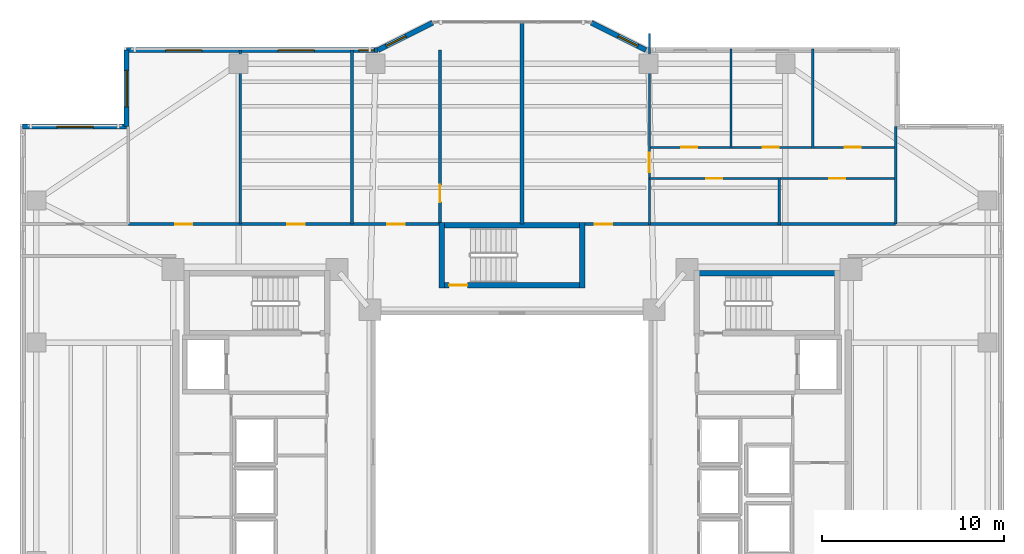
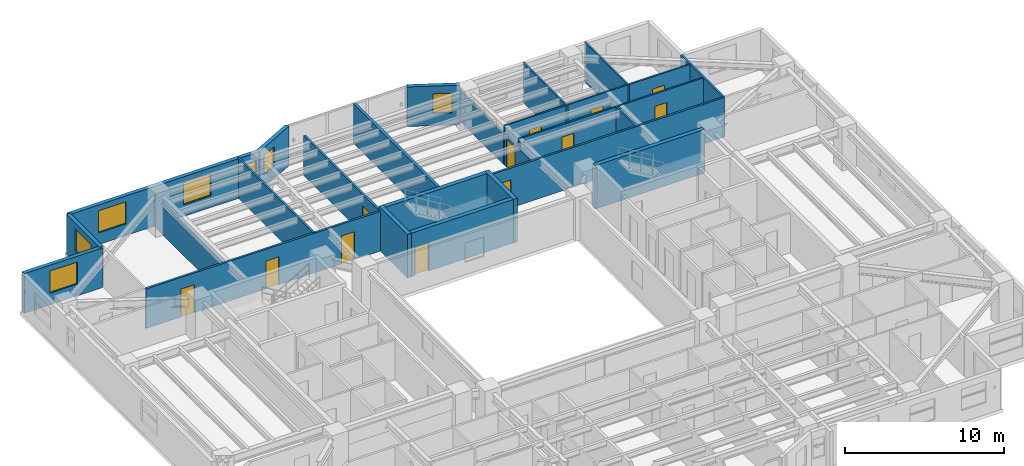
# One storey, part 10 of 18: 24 walls, 12 doors, 7 windows, 19 openings.
"""IFC4 building model written with IfcOpenShell, lengths in metres."""

from ifc_helpers import new_model, si_unit, direction, frame, frame_2d, origin, place, context, subcontext, project, spatial, rectangle, extrude, material, layer, layer_set, type_object, element, fill, save


model = new_model("IFC4")

# Units and contexts
model_context = context("Model", 3, precision=1e-05, world=origin(), true_north=direction((0.0, 1.0)))
body_context = subcontext(model_context, "Body", "Model", "MODEL_VIEW")
ifc_project = project(units=[si_unit("LENGTHUNIT", "METRE"), si_unit("AREAUNIT", "SQUARE_METRE"), si_unit("VOLUMEUNIT", "CUBIC_METRE"), si_unit("PLANEANGLEUNIT", "RADIAN"), si_unit("MASSUNIT", "GRAM", prefix="KILO")], contexts=[model_context])

# Site, building, storey
site_placement = place(None, origin())
site = spatial("IfcSite", under=ifc_project, at=site_placement, CompositionType="ELEMENT")
building_placement = place(site_placement, origin())
building = spatial("IfcBuilding", under=site, at=building_placement, Name="Tarnavaz Court Tower", CompositionType="ELEMENT")
storey_placement = place(building_placement, frame((0.0, 0.0, 115.14990234375)))
storey = spatial("IfcBuildingStorey", under=building, at=storey_placement, Name="L31", CompositionType="ELEMENT", Elevation=115.14990234375)

# Walls
ifc_material_1 = material(Name="Concrete C60/75", Category="concrete")
ifc_layer_1 = layer(ifc_material_1, 0.300048828125)
ifc_layer_set_1 = layer_set([ifc_layer_1], Name="Concrete C60/75")
wall_type_1 = type_object("IfcWallType", Name="WL-CORE-300-C60", PredefinedType="SHEAR", material=ifc_layer_set_1)
for number, where, z_axis, x_axis, name in (
    (1, (10.0, 9.7900390625, 0.0), (0.0, 0.0, 1.0), (1.0, 0.0, 0.0), "L31 East Stair Core Wall 005"),
    (2, (-4.0, 12.43994140625, 0.0), (0.0, 0.0, 1.0), (1.0, 0.0, 0.0), "L31 North Stair Core Wall 009"),
):
    element("IfcWall", number, at=place(storey_placement, frame(where, z_axis=z_axis, x_axis=x_axis)), inside=storey, type_object=wall_type_1, Name=name, PredefinedType="SHEAR", context=body_context, shape_type="SweptSolid", body=[
        extrude(rectangle(XDim=8.0, YDim=0.300048828125, at=frame_2d((4.0, 0.0))), origin(), (0.0, 0.0, 1.0), 3.35009765625),
    ])

# Wall, opening, door
wall_1_placement = place(storey_placement, frame((-4.0, 9.14990234375, 0.0), z_axis=(0.0, 0.0, 1.0), x_axis=(1.0, 0.0, 0.0)))
wall_1 = element("IfcWall", 3, at=wall_1_placement, inside=storey, type_object=wall_type_1, Name="L31 North Stair Core Wall 010", PredefinedType="SHEAR", context=body_context, shape_type="SweptSolid", body=[
    extrude(rectangle(XDim=8.0, YDim=0.300048828125, at=frame_2d((4.0, 0.0))), origin(), (0.0, 0.0, 1.0), 3.35009765625),
])
opening_1_placement = place(wall_1_placement, frame((0.550048828125, 0.0, 0.0)))
opening_1 = element("IfcOpeningElement", 4, at=opening_1_placement, cuts=wall_1, Name="Opening D01", PredefinedType="OPENING", context=body_context, shape_type="SweptSolid", body=[
    extrude(rectangle(XDim=1.0, YDim=2.14990234375, at=frame_2d((0.5, 1.074951171875))), frame((0.0, 0.159912109375, 0.0), z_axis=(0.0, -1.0, 0.0), x_axis=(1.0, 0.0, 0.0)), (0.0, 0.0, 1.0), 0.320068359375),
])
ifc_material_2 = material(Name="Fire-Rated Hardwood Timber Core", Category="wood")
door_type_1 = type_object("IfcDoorType", Name="DR-FD90-1000", OperationType="NOTDEFINED", PredefinedType="DOOR", material=ifc_material_2)
door_1_placement = place(opening_1_placement, origin())
door_1 = element("IfcDoor", 5, at=door_1_placement, inside=storey, type_object=door_type_1, Name="L31 Stair ST-N1 Exit Door", OperationType="SINGLE_SWING_LEFT", OverallHeight=2.14990234375, OverallWidth=1.0, PredefinedType="DOOR", context=body_context, shape_type="SweptSolid", body=[
    extrude(rectangle(XDim=1.0, YDim=2.14990234375, at=frame_2d((0.5, 1.074951171875))), frame((0.0, 0.02490234375, 0.0), z_axis=(0.0, -1.0, 0.0), x_axis=(1.0, 0.0, 0.0)), (0.0, 0.0, 1.0), 0.050048828125),
])
fill(opening_1, door_1)

# Walls
for number, where, z_axis, x_axis, name in (
    (6, (-3.85009765625, 9.0, 0.0), (0.0, 0.0, 1.0), (0.0, 1.0, 0.0), "L31 North Stair Core Wall 011"),
    (7, (3.85009765625, 9.0, 0.0), (0.0, 0.0, 1.0), (0.0, 1.0, 0.0), "L31 North Stair Core Wall 012"),
):
    element("IfcWall", number, at=place(storey_placement, frame(where, z_axis=z_axis, x_axis=x_axis)), inside=storey, type_object=wall_type_1, Name=name, PredefinedType="SHEAR", context=body_context, shape_type="SweptSolid", body=[
        extrude(rectangle(XDim=3.590087890625, YDim=0.300048828125, at=frame_2d((1.794921875, 0.0))), origin(), (0.0, 0.0, 1.0), 3.35009765625),
    ])

# Wall, opening, window
ifc_material_3 = material(Name="Precast Concrete C40/50", Category="concrete")
ifc_layer_2 = layer(ifc_material_3, 0.280029296875)
ifc_layer_set_2 = layer_set([ifc_layer_2], Name="Precast Concrete C40/50")
wall_type_2 = type_object("IfcWallType", Name="WL-EXT-280", PredefinedType="SOLIDWALL", material=ifc_layer_set_2)
wall_2_placement = place(storey_placement, frame((-26.85009765625, 17.85009765625, 0.0), z_axis=(0.0, 0.0, 1.0), x_axis=(1.0, 0.0, 0.0)))
wall_2 = element("IfcWall", 8, at=wall_2_placement, inside=storey, type_object=wall_type_2, Name="L31 Exterior Terracotta Facade Wall 03", PredefinedType="SOLIDWALL", context=body_context, shape_type="SweptSolid", body=[
    extrude(rectangle(XDim=5.7001953125, YDim=0.280029296875, at=frame_2d((2.85009765625, 0.0))), origin(), (0.0, 0.0, 1.0), 3.050048828125),
])
opening_2_placement = place(wall_2_placement, frame((1.875, 0.0, 0.89990234375)))
opening_2 = element("IfcOpeningElement", 9, at=opening_2_placement, cuts=wall_2, Name="Opening W08", PredefinedType="OPENING", context=body_context, shape_type="SweptSolid", body=[
    extrude(rectangle(XDim=2.0, YDim=1.699951171875, at=frame_2d((1.0, 0.85009765625))), frame((0.0, 0.14990234375, 0.0), z_axis=(0.0, -1.0, 0.0), x_axis=(1.0, 0.0, 0.0)), (0.0, 0.0, 1.0), 0.300048828125),
])
ifc_material_4 = material(Name="Double-Glazed Solar Low-E Glass", Category="glass")
window_type_1 = type_object("IfcWindowType", Name="WN-APT-2000", PartitioningType="DOUBLE_PANEL_VERTICAL", PredefinedType="WINDOW", material=ifc_material_4)
window_1_placement = place(opening_2_placement, origin())
window_1 = element("IfcWindow", 10, at=window_1_placement, inside=storey, type_object=window_type_1, Name="L31 North-West Corner Sunroom Study Window", OverallHeight=1.699951171875, OverallWidth=2.0, PartitioningType="SINGLE_PANEL", PredefinedType="WINDOW", context=body_context, shape_type="SweptSolid", body=[
    extrude(rectangle(XDim=2.0, YDim=1.699951171875, at=frame_2d((1.0, 0.85009765625))), frame((0.0, 0.030029296875, 0.0), z_axis=(0.0, -1.0, 0.0), x_axis=(1.0, 0.0, 0.0)), (0.0, 0.0, 1.0), 0.06005859375),
])
fill(opening_2, window_1)

wall_3_placement = place(storey_placement, frame((-21.14990234375, 17.85009765625, 0.0), z_axis=(0.0, 0.0, 1.0), x_axis=(0.0, 1.0, 0.0)))
wall_3 = element("IfcWall", 11, at=wall_3_placement, inside=storey, type_object=wall_type_2, Name="L31 Exterior Terracotta Facade Wall 04", PredefinedType="SOLIDWALL", context=body_context, shape_type="SweptSolid", body=[
    extrude(rectangle(XDim=4.199951171875, YDim=0.280029296875, at=frame_2d((2.10009765625, 0.0))), origin(), (0.0, 0.0, 1.0), 3.050048828125),
])
opening_3_placement = place(wall_3_placement, frame((1.082275390625, 0.0, 0.89990234375)))
opening_3 = element("IfcOpeningElement", 12, at=opening_3_placement, cuts=wall_3, Name="Opening W08", PredefinedType="OPENING", context=body_context, shape_type="SweptSolid", body=[
    extrude(rectangle(XDim=2.0, YDim=1.699951171875, at=frame_2d((1.0, 0.85009765625))), frame((0.0, 0.14990234375, 0.0), z_axis=(0.0, -1.0, 0.0), x_axis=(1.0, 0.0, 0.0)), (0.0, 0.0, 1.0), 0.300048828125),
])
window_2_placement = place(opening_3_placement, origin())
window_2 = element("IfcWindow", 13, at=window_2_placement, inside=storey, type_object=window_type_1, Name="L31 Resident Fitness and Yoga Studio Window", OverallHeight=1.699951171875, OverallWidth=2.0, PartitioningType="SINGLE_PANEL", PredefinedType="WINDOW", context=body_context, shape_type="SweptSolid", body=[
    extrude(rectangle(XDim=2.0, YDim=1.699951171875, at=frame_2d((1.0, 0.85009765625))), frame((0.0, 0.030029296875, 0.0), z_axis=(0.0, -1.0, 0.0), x_axis=(1.0, 0.0, 0.0)), (0.0, 0.0, 1.0), 0.06005859375),
])
fill(opening_3, window_2)

# Wall, openings, windows
wall_4_placement = place(storey_placement, frame((-21.14990234375, 22.050048828125, 0.0), z_axis=(0.0, 0.0, 1.0), x_axis=(1.0, 0.0, 0.0)))
wall_4 = element("IfcWall", 14, at=wall_4_placement, inside=storey, type_object=wall_type_2, Name="L31 Exterior Terracotta Facade Wall 05", PredefinedType="SOLIDWALL", context=body_context, shape_type="SweptSolid", body=[
    extrude(rectangle(XDim=13.7998046875, YDim=0.280029296875, at=frame_2d((6.89990234375, 0.0))), origin(), (0.0, 0.0, 1.0), 3.050048828125),
])
opening_4_placement = place(wall_4_placement, frame((2.136474609375, 0.0, 0.89990234375)))
opening_4 = element("IfcOpeningElement", 15, at=opening_4_placement, cuts=wall_4, Name="Opening W08", PredefinedType="OPENING", context=body_context, shape_type="SweptSolid", body=[
    extrude(rectangle(XDim=2.0, YDim=1.699951171875, at=frame_2d((1.0, 0.85009765625))), frame((0.0, 0.14990234375, 0.0), z_axis=(0.0, -1.0, 0.0), x_axis=(1.0, 0.0, 0.0)), (0.0, 0.0, 1.0), 0.300048828125),
])
opening_5_placement = place(wall_4_placement, frame((8.30859375, 0.0, 0.89990234375)))
opening_5 = element("IfcOpeningElement", 16, at=opening_5_placement, cuts=wall_4, Name="Opening W08", PredefinedType="OPENING", context=body_context, shape_type="SweptSolid", body=[
    extrude(rectangle(XDim=2.0, YDim=1.699951171875, at=frame_2d((1.0, 0.85009765625))), frame((0.0, 0.14990234375, 0.0), z_axis=(0.0, -1.0, 0.0), x_axis=(1.0, 0.0, 0.0)), (0.0, 0.0, 1.0), 0.300048828125),
])
opening_6_placement = place(wall_4_placement, frame((12.7470703125, 0.0, 0.949951171875)))
opening_6 = element("IfcOpeningElement", 17, at=opening_6_placement, cuts=wall_4, Name="Opening W15", PredefinedType="OPENING", context=body_context, shape_type="SweptSolid", body=[
    extrude(rectangle(XDim=0.85009765625, YDim=1.5, at=frame_2d((0.425048828125, 0.75))), frame((0.0, 0.14990234375, 0.0), z_axis=(0.0, -1.0, 0.0), x_axis=(1.0, 0.0, 0.0)), (0.0, 0.0, 1.0), 0.300048828125),
])
window_3_placement = place(opening_4_placement, origin())
window_3 = element("IfcWindow", 18, at=window_3_placement, inside=storey, type_object=window_type_1, Name="L31 Resident Fitness and Yoga Studio Window", OverallHeight=1.699951171875, OverallWidth=2.0, PartitioningType="SINGLE_PANEL", PredefinedType="WINDOW", context=body_context, shape_type="SweptSolid", body=[
    extrude(rectangle(XDim=2.0, YDim=1.699951171875, at=frame_2d((1.0, 0.85009765625))), frame((0.0, 0.030029296875, 0.0), z_axis=(0.0, -1.0, 0.0), x_axis=(1.0, 0.0, 0.0)), (0.0, 0.0, 1.0), 0.06005859375),
])
fill(opening_4, window_3)
window_4_placement = place(opening_5_placement, origin())
window_4 = element("IfcWindow", 19, at=window_4_placement, inside=storey, type_object=window_type_1, Name="L31 Children Playroom and Daycare Window", OverallHeight=1.699951171875, OverallWidth=2.0, PartitioningType="SINGLE_PANEL", PredefinedType="WINDOW", context=body_context, shape_type="SweptSolid", body=[
    extrude(rectangle(XDim=2.0, YDim=1.699951171875, at=frame_2d((1.0, 0.85009765625))), frame((0.0, 0.030029296875, 0.0), z_axis=(0.0, -1.0, 0.0), x_axis=(1.0, 0.0, 0.0)), (0.0, 0.0, 1.0), 0.06005859375),
])
fill(opening_5, window_4)
window_type_2 = type_object("IfcWindowType", Name="WN-APT-850", PartitioningType="SINGLE_PANEL", PredefinedType="WINDOW", material=ifc_material_4)
window_5_placement = place(opening_6_placement, origin())
window_5 = element("IfcWindow", 20, at=window_5_placement, inside=storey, type_object=window_type_2, Name="L31 Shared Community Tea Pantry Window", OverallHeight=1.5, OverallWidth=0.85009765625, PartitioningType="SINGLE_PANEL", PredefinedType="WINDOW", context=body_context, shape_type="SweptSolid", body=[
    extrude(rectangle(XDim=0.85009765625, YDim=1.5, at=frame_2d((0.425048828125, 0.75))), frame((0.0, 0.030029296875, 0.0), z_axis=(0.0, -1.0, 0.0), x_axis=(1.0, 0.0, 0.0)), (0.0, 0.0, 1.0), 0.06005859375),
])
fill(opening_6, window_5)

# Wall, opening, window
wall_5_placement = place(storey_placement, frame((-7.35009765625, 22.050048828125, 0.0), z_axis=(0.0, 0.0, 1.0), x_axis=(0.894427191, 0.4472135955, 0.0)))
wall_5 = element("IfcWall", 21, at=wall_5_placement, inside=storey, type_object=wall_type_2, Name="L31 Exterior Terracotta Facade Wall 06", PredefinedType="SOLIDWALL", context=body_context, shape_type="SweptSolid", body=[
    extrude(rectangle(XDim=3.35400390625, YDim=0.280029296875, at=frame_2d((1.677001953125, 0.0))), origin(), (0.0, 0.0, 1.0), 3.050048828125),
])
opening_7_placement = place(wall_5_placement, frame((0.501220703125, 0.0, 0.949951171875)))
opening_7 = element("IfcOpeningElement", 22, at=opening_7_placement, cuts=wall_5, Name="Opening W05", PredefinedType="OPENING", context=body_context, shape_type="SweptSolid", body=[
    extrude(rectangle(XDim=1.199951171875, YDim=1.5, at=frame_2d((0.60009765625, 0.75))), frame((0.0, 0.14990234375, 0.0), z_axis=(0.0, -1.0, 0.0), x_axis=(1.0, 0.0, 0.0)), (0.0, 0.0, 1.0), 0.300048828125),
])
window_type_3 = type_object("IfcWindowType", Name="WN-APT-1200", PartitioningType="SINGLE_PANEL", PredefinedType="WINDOW", material=ifc_material_4)
window_6_placement = place(opening_7_placement, origin())
window_6 = element("IfcWindow", 23, at=window_6_placement, inside=storey, type_object=window_type_3, Name="L31 Shared Community Tea Pantry Window", OverallHeight=1.5, OverallWidth=1.199951171875, PartitioningType="SINGLE_PANEL", PredefinedType="WINDOW", context=body_context, shape_type="SweptSolid", body=[
    extrude(rectangle(XDim=1.199951171875, YDim=1.5, at=frame_2d((0.60009765625, 0.75))), frame((0.0, 0.030029296875, 0.0), z_axis=(0.0, -1.0, 0.0), x_axis=(1.0, 0.0, 0.0)), (0.0, 0.0, 1.0), 0.06005859375),
])
fill(opening_7, window_6)

wall_6_placement = place(storey_placement, frame((4.35009765625, 23.550048828125, 0.0), z_axis=(0.0, 0.0, 1.0), x_axis=(0.894427191, -0.4472135955, 0.0)))
wall_6 = element("IfcWall", 24, at=wall_6_placement, inside=storey, type_object=wall_type_2, Name="L31 Exterior Terracotta Facade Wall 08", PredefinedType="SOLIDWALL", context=body_context, shape_type="SweptSolid", body=[
    extrude(rectangle(XDim=3.35400390625, YDim=0.280029296875, at=frame_2d((1.677001953125, 0.0))), origin(), (0.0, 0.0, 1.0), 3.050048828125),
])
opening_8_placement = place(wall_6_placement, frame((1.65283203125, 0.0, 0.949951171875)))
opening_8 = element("IfcOpeningElement", 25, at=opening_8_placement, cuts=wall_6, Name="Opening W05", PredefinedType="OPENING", context=body_context, shape_type="SweptSolid", body=[
    extrude(rectangle(XDim=1.199951171875, YDim=1.5, at=frame_2d((0.60009765625, 0.75))), frame((0.0, 0.14990234375, 0.0), z_axis=(0.0, -1.0, 0.0), x_axis=(1.0, 0.0, 0.0)), (0.0, 0.0, 1.0), 0.300048828125),
])
window_7_placement = place(opening_8_placement, origin())
window_7 = element("IfcWindow", 26, at=window_7_placement, inside=storey, type_object=window_type_3, Name="L31 Flat 01 Living and Dining Room Window", OverallHeight=1.5, OverallWidth=1.199951171875, PartitioningType="SINGLE_PANEL", PredefinedType="WINDOW", context=body_context, shape_type="SweptSolid", body=[
    extrude(rectangle(XDim=1.199951171875, YDim=1.5, at=frame_2d((0.60009765625, 0.75))), frame((0.0, 0.030029296875, 0.0), z_axis=(0.0, -1.0, 0.0), x_axis=(1.0, 0.0, 0.0)), (0.0, 0.0, 1.0), 0.06005859375),
])
fill(opening_8, window_7)

# Wall, openings, doors
ifc_material_5 = material(Name="Gypsum Fire-Board on Acoustic Metal Stud", Category="masonry")
ifc_layer_3 = layer(ifc_material_5, 0.14990234375)
ifc_layer_set_3 = layer_set([ifc_layer_3], Name="Gypsum Fire-Board on Acoustic Metal Stud")
wall_type_3 = type_object("IfcWallType", Name="WL-FIRE-150", PredefinedType="PARTITIONING", material=ifc_layer_set_3)
wall_7_placement = place(storey_placement, frame((-21.050048828125, 12.5, 0.0), z_axis=(0.0, 0.0, 1.0), x_axis=(1.0, 0.0, 0.0)))
wall_7 = element("IfcWall", 27, at=wall_7_placement, inside=storey, type_object=wall_type_3, Name="L31 NW Wing Corridor Wall 072", PredefinedType="PARTITIONING", context=body_context, shape_type="SweptSolid", body=[
    extrude(rectangle(XDim=17.199951171875, YDim=0.14990234375, at=frame_2d((8.60009765625, 0.0))), origin(), (0.0, 0.0, 1.0), 3.050048828125),
])
opening_9_placement = place(wall_7_placement, frame((2.56201171875, 0.0, 0.0)))
opening_9 = element("IfcOpeningElement", 28, at=opening_9_placement, cuts=wall_7, Name="Opening D13", PredefinedType="OPENING", context=body_context, shape_type="SweptSolid", body=[
    extrude(rectangle(XDim=0.949951171875, YDim=2.14990234375, at=frame_2d((0.47509765625, 1.074951171875))), frame((0.0, 0.0849609375, 0.0), z_axis=(0.0, -1.0, 0.0), x_axis=(1.0, 0.0, 0.0)), (0.0, 0.0, 1.0), 0.169921875),
])
opening_10_placement = place(wall_7_placement, frame((8.72607421875, 0.0, 0.0)))
opening_10 = element("IfcOpeningElement", 29, at=opening_10_placement, cuts=wall_7, Name="Opening D13", PredefinedType="OPENING", context=body_context, shape_type="SweptSolid", body=[
    extrude(rectangle(XDim=0.949951171875, YDim=2.14990234375, at=frame_2d((0.47509765625, 1.074951171875))), frame((0.0, 0.0849609375, 0.0), z_axis=(0.0, -1.0, 0.0), x_axis=(1.0, 0.0, 0.0)), (0.0, 0.0, 1.0), 0.169921875),
])
opening_11_placement = place(wall_7_placement, frame((14.2099609375, 0.0, 0.0)))
opening_11 = element("IfcOpeningElement", 30, at=opening_11_placement, cuts=wall_7, Name="Opening D13", PredefinedType="OPENING", context=body_context, shape_type="SweptSolid", body=[
    extrude(rectangle(XDim=0.949951171875, YDim=2.14990234375, at=frame_2d((0.47509765625, 1.074951171875))), frame((0.0, 0.0849609375, 0.0), z_axis=(0.0, -1.0, 0.0), x_axis=(1.0, 0.0, 0.0)), (0.0, 0.0, 1.0), 0.169921875),
])
ifc_material_6 = material(Name="Engineered Oak Timber", Category="wood")
door_type_2 = type_object("IfcDoorType", Name="DR-INT-950", OperationType="NOTDEFINED", PredefinedType="DOOR", material=ifc_material_6)
door_2_placement = place(opening_9_placement, origin())
door_2 = element("IfcDoor", 31, at=door_2_placement, inside=storey, type_object=door_type_2, Name="L31 Resident Fitness and Yoga Studio Door", OperationType="SINGLE_SWING_RIGHT", OverallHeight=2.14990234375, OverallWidth=0.949951171875, PredefinedType="DOOR", context=body_context, shape_type="SweptSolid", body=[
    extrude(rectangle(XDim=0.949951171875, YDim=2.14990234375, at=frame_2d((0.47509765625, 1.074951171875))), frame((0.0, 0.02490234375, 0.0), z_axis=(0.0, -1.0, 0.0), x_axis=(1.0, 0.0, 0.0)), (0.0, 0.0, 1.0), 0.050048828125),
])
fill(opening_9, door_2)
door_3_placement = place(opening_10_placement, origin())
door_3 = element("IfcDoor", 32, at=door_3_placement, inside=storey, type_object=door_type_2, Name="L31 Children Playroom and Daycare Door", OperationType="SINGLE_SWING_LEFT", OverallHeight=2.14990234375, OverallWidth=0.949951171875, PredefinedType="DOOR", context=body_context, shape_type="SweptSolid", body=[
    extrude(rectangle(XDim=0.949951171875, YDim=2.14990234375, at=frame_2d((0.47509765625, 1.074951171875))), frame((0.0, 0.02490234375, 0.0), z_axis=(0.0, -1.0, 0.0), x_axis=(1.0, 0.0, 0.0)), (0.0, 0.0, 1.0), 0.050048828125),
])
fill(opening_10, door_3)
door_4_placement = place(opening_11_placement, origin())
door_4 = element("IfcDoor", 33, at=door_4_placement, inside=storey, type_object=door_type_2, Name="L31 Shared Community Tea Pantry Door", OperationType="SINGLE_SWING_RIGHT", OverallHeight=2.14990234375, OverallWidth=0.949951171875, PredefinedType="DOOR", context=body_context, shape_type="SweptSolid", body=[
    extrude(rectangle(XDim=0.949951171875, YDim=2.14990234375, at=frame_2d((0.47509765625, 1.074951171875))), frame((0.0, 0.02490234375, 0.0), z_axis=(0.0, -1.0, 0.0), x_axis=(1.0, 0.0, 0.0)), (0.0, 0.0, 1.0), 0.050048828125),
])
fill(opening_11, door_4)

# Wall, opening, door
wall_8_placement = place(storey_placement, frame((3.85009765625, 12.5, 0.0), z_axis=(0.0, 0.0, 1.0), x_axis=(1.0, 0.0, 0.0)))
wall_8 = element("IfcWall", 34, at=wall_8_placement, inside=storey, type_object=wall_type_3, Name="L31 NE Wing Corridor Wall 073", PredefinedType="PARTITIONING", context=body_context, shape_type="SweptSolid", body=[
    extrude(rectangle(XDim=17.199951171875, YDim=0.14990234375, at=frame_2d((8.60009765625, 0.0))), origin(), (0.0, 0.0, 1.0), 3.050048828125),
])
opening_12_placement = place(wall_8_placement, frame((0.699951171875, 0.0, 0.0)))
opening_12 = element("IfcOpeningElement", 35, at=opening_12_placement, cuts=wall_8, Name="Opening D06", PredefinedType="OPENING", context=body_context, shape_type="SweptSolid", body=[
    extrude(rectangle(XDim=0.9599609375, YDim=2.14990234375, at=frame_2d((0.47998046875, 1.074951171875))), frame((0.0, 0.0849609375, 0.0), z_axis=(0.0, -1.0, 0.0), x_axis=(1.0, 0.0, 0.0)), (0.0, 0.0, 1.0), 0.169921875),
])
door_type_3 = type_object("IfcDoorType", Name="DR-FD60-950", OperationType="NOTDEFINED", PredefinedType="DOOR", material=ifc_material_2)
door_5_placement = place(opening_12_placement, origin())
door_5 = element("IfcDoor", 36, at=door_5_placement, inside=storey, type_object=door_type_3, Name="L31 Flat 01 Entrance Door", OperationType="SINGLE_SWING_RIGHT", OverallHeight=2.14990234375, OverallWidth=0.9599609375, PredefinedType="DOOR", context=body_context, shape_type="SweptSolid", body=[
    extrude(rectangle(XDim=0.9599609375, YDim=2.14990234375, at=frame_2d((0.47998046875, 1.074951171875))), frame((0.0, 0.02490234375, 0.0), z_axis=(0.0, -1.0, 0.0), x_axis=(1.0, 0.0, 0.0)), (0.0, 0.0, 1.0), 0.050048828125),
])
fill(opening_12, door_5)

# Wall
ifc_material_7 = material(Name="Autoclaved Aerated Concrete Blockwork", Category="masonry")
ifc_layer_4 = layer(ifc_material_7, 0.199951171875)
ifc_layer_set_4 = layer_set([ifc_layer_4], Name="Autoclaved Aerated Concrete Blockwork")
wall_type_4 = type_object("IfcWallType", Name="WL-FIRE-200", PredefinedType="SOLIDWALL", material=ifc_layer_set_4)
wall_9_placement = place(storey_placement, frame((0.550048828125, 12.5, 0.0), z_axis=(0.0, 0.0, 1.0), x_axis=(0.0, 1.0, 0.0)))
element("IfcWall", 37, at=wall_9_placement, inside=storey, type_object=wall_type_4, Name="L31 North Center Party Wall 076", PredefinedType="SOLIDWALL", context=body_context, shape_type="SweptSolid", body=[
    extrude(rectangle(XDim=11.080078125, YDim=0.199951171875, at=frame_2d((5.5400390625, 0.0))), origin(), (0.0, 0.0, 1.0), 3.050048828125),
])

# Wall, opening, door
ifc_material_8 = material(Name="Moisture-Resistant Gypsum Board Partition", Category="masonry")
ifc_layer_5 = layer(ifc_material_8, 0.1201171875)
ifc_layer_set_5 = layer_set([ifc_layer_5], Name="Moisture-Resistant Gypsum Board Partition")
wall_type_5 = type_object("IfcWallType", Name="WL-PART-120", PredefinedType="PARTITIONING", material=ifc_layer_set_5)
wall_10_placement = place(storey_placement, frame((7.5390625, 12.43994140625, 0.0), z_axis=(0.0, 0.0, 1.0), x_axis=(0.0, 1.0, 0.0)))
wall_10 = element("IfcWall", 38, at=wall_10_placement, inside=storey, type_object=wall_type_5, Name="L31 Interior Partition 080", PredefinedType="PARTITIONING", context=body_context, shape_type="SweptSolid", body=[
    extrude(rectangle(XDim=10.51416015625, YDim=0.1201171875, at=frame_2d((5.257080078125, 0.0))), origin(), (0.0, 0.0, 1.0), 2.385009765625),
])
opening_13_placement = place(wall_10_placement, frame((2.905029296875, 0.0, 0.0)))
opening_13 = element("IfcOpeningElement", 39, at=opening_13_placement, cuts=wall_10, Name="Opening D12", PredefinedType="OPENING", context=body_context, shape_type="SweptSolid", body=[
    extrude(rectangle(XDim=1.080078125, YDim=2.14990234375, at=frame_2d((0.5400390625, 1.074951171875))), frame((0.0, 0.070068359375, 0.0), z_axis=(0.0, -1.0, 0.0), x_axis=(1.0, 0.0, 0.0)), (0.0, 0.0, 1.0), 0.14013671875),
])
door_type_4 = type_object("IfcDoorType", Name="DR-INT-1100", OperationType="NOTDEFINED", PredefinedType="DOOR", material=ifc_material_6)
door_6_placement = place(opening_13_placement, origin())
door_6 = element("IfcDoor", 40, at=door_6_placement, inside=storey, type_object=door_type_4, Name="L31 Flat 01 Foyer Door", OperationType="SINGLE_SWING_LEFT", OverallHeight=2.14990234375, OverallWidth=1.080078125, PredefinedType="DOOR", context=body_context, shape_type="SweptSolid", body=[
    extrude(rectangle(XDim=1.080078125, YDim=2.14990234375, at=frame_2d((0.5400390625, 1.074951171875))), frame((0.0, 0.02490234375, 0.0), z_axis=(0.0, -1.0, 0.0), x_axis=(1.0, 0.0, 0.0)), (0.0, 0.0, 1.0), 0.050048828125),
])
fill(opening_13, door_6)

wall_11_placement = place(storey_placement, frame((7.5390625, 15.0, 0.0), z_axis=(0.0, 0.0, 1.0), x_axis=(1.0, 0.0, 0.0)))
wall_11 = element("IfcWall", 41, at=wall_11_placement, inside=storey, type_object=wall_type_5, Name="L31 Interior Partition 081", PredefinedType="PARTITIONING", context=body_context, shape_type="SweptSolid", body=[
    extrude(rectangle(XDim=7.12890625, YDim=0.1201171875, at=frame_2d((3.564453125, 0.0))), origin(), (0.0, 0.0, 1.0), 3.050048828125),
])
opening_14_placement = place(wall_11_placement, frame((3.1240234375, 0.0, 0.0)))
opening_14 = element("IfcOpeningElement", 42, at=opening_14_placement, cuts=wall_11, Name="Opening D14", PredefinedType="OPENING", context=body_context, shape_type="SweptSolid", body=[
    extrude(rectangle(XDim=0.8798828125, YDim=2.10009765625, at=frame_2d((0.43994140625, 1.050048828125))), frame((0.0, 0.070068359375, 0.0), z_axis=(0.0, -1.0, 0.0), x_axis=(1.0, 0.0, 0.0)), (0.0, 0.0, 1.0), 0.14013671875),
])
door_type_5 = type_object("IfcDoorType", Name="DR-INT-900", OperationType="NOTDEFINED", PredefinedType="DOOR", material=ifc_material_6)
door_7_placement = place(opening_14_placement, origin())
door_7 = element("IfcDoor", 43, at=door_7_placement, inside=storey, type_object=door_type_5, Name="L31 Flat 01 Kitchen Door", OperationType="SINGLE_SWING_RIGHT", OverallHeight=2.10009765625, OverallWidth=0.8798828125, PredefinedType="DOOR", context=body_context, shape_type="SweptSolid", body=[
    extrude(rectangle(XDim=0.8798828125, YDim=2.10009765625, at=frame_2d((0.43994140625, 1.050048828125))), frame((0.0, 0.02490234375, 0.0), z_axis=(0.0, -1.0, 0.0), x_axis=(1.0, 0.0, 0.0)), (0.0, 0.0, 1.0), 0.050048828125),
])
fill(opening_14, door_7)

wall_12_placement = place(storey_placement, frame((14.66796875, 15.0, 0.0), z_axis=(0.0, 0.0, 1.0), x_axis=(1.0, 0.0, 0.0)))
wall_12 = element("IfcWall", 44, at=wall_12_placement, inside=storey, type_object=wall_type_5, Name="L31 Interior Partition 082", PredefinedType="PARTITIONING", context=body_context, shape_type="SweptSolid", body=[
    extrude(rectangle(XDim=6.382080078125, YDim=0.1201171875, at=frame_2d((3.19091796875, 0.0))), origin(), (0.0, 0.0, 1.0), 3.050048828125),
])
opening_15_placement = place(wall_12_placement, frame((2.7509765625, 0.0, 0.0)))
opening_15 = element("IfcOpeningElement", 45, at=opening_15_placement, cuts=wall_12, Name="Opening D14", PredefinedType="OPENING", context=body_context, shape_type="SweptSolid", body=[
    extrude(rectangle(XDim=0.8798828125, YDim=2.10009765625, at=frame_2d((0.43994140625, 1.050048828125))), frame((0.0, 0.070068359375, 0.0), z_axis=(0.0, -1.0, 0.0), x_axis=(1.0, 0.0, 0.0)), (0.0, 0.0, 1.0), 0.14013671875),
])
door_8_placement = place(opening_15_placement, origin())
door_8 = element("IfcDoor", 46, at=door_8_placement, inside=storey, type_object=door_type_5, Name="L31 Flat 01 Bathroom Door", OperationType="SINGLE_SWING_LEFT", OverallHeight=2.10009765625, OverallWidth=0.8798828125, PredefinedType="DOOR", context=body_context, shape_type="SweptSolid", body=[
    extrude(rectangle(XDim=0.8798828125, YDim=2.10009765625, at=frame_2d((0.43994140625, 1.050048828125))), frame((0.0, 0.02490234375, 0.0), z_axis=(0.0, -1.0, 0.0), x_axis=(1.0, 0.0, 0.0)), (0.0, 0.0, 1.0), 0.050048828125),
])
fill(opening_15, door_8)

# Wall, openings, doors
wall_13_placement = place(storey_placement, frame((7.47900390625, 16.7099609375, 0.0), z_axis=(0.0, 0.0, 1.0), x_axis=(1.0, 0.0, 0.0)))
wall_13 = element("IfcWall", 47, at=wall_13_placement, inside=storey, type_object=wall_type_5, Name="L31 Interior Partition 083", PredefinedType="PARTITIONING", context=body_context, shape_type="SweptSolid", body=[
    extrude(rectangle(XDim=13.631103515625, YDim=0.1201171875, at=frame_2d((6.8154296875, 0.0))), origin(), (0.0, 0.0, 1.0), 3.050048828125),
])
opening_16_placement = place(wall_13_placement, frame((1.802001953125, 0.0, 0.0)))
opening_16 = element("IfcOpeningElement", 48, at=opening_16_placement, cuts=wall_13, Name="Opening D14", PredefinedType="OPENING", context=body_context, shape_type="SweptSolid", body=[
    extrude(rectangle(XDim=0.8798828125, YDim=2.10009765625, at=frame_2d((0.43994140625, 1.050048828125))), frame((0.0, 0.070068359375, 0.0), z_axis=(0.0, -1.0, 0.0), x_axis=(1.0, 0.0, 0.0)), (0.0, 0.0, 1.0), 0.14013671875),
])
opening_17_placement = place(wall_13_placement, frame((6.285888671875, 0.0, 0.0)))
opening_17 = element("IfcOpeningElement", 49, at=opening_17_placement, cuts=wall_13, Name="Opening D14", PredefinedType="OPENING", context=body_context, shape_type="SweptSolid", body=[
    extrude(rectangle(XDim=0.8798828125, YDim=2.10009765625, at=frame_2d((0.43994140625, 1.050048828125))), frame((0.0, 0.070068359375, 0.0), z_axis=(0.0, -1.0, 0.0), x_axis=(1.0, 0.0, 0.0)), (0.0, 0.0, 1.0), 0.14013671875),
])
opening_18_placement = place(wall_13_placement, frame((10.76904296875, 0.0, 0.0)))
opening_18 = element("IfcOpeningElement", 50, at=opening_18_placement, cuts=wall_13, Name="Opening D14", PredefinedType="OPENING", context=body_context, shape_type="SweptSolid", body=[
    extrude(rectangle(XDim=0.8798828125, YDim=2.10009765625, at=frame_2d((0.43994140625, 1.050048828125))), frame((0.0, 0.070068359375, 0.0), z_axis=(0.0, -1.0, 0.0), x_axis=(1.0, 0.0, 0.0)), (0.0, 0.0, 1.0), 0.14013671875),
])
door_9_placement = place(opening_16_placement, origin())
door_9 = element("IfcDoor", 51, at=door_9_placement, inside=storey, type_object=door_type_5, Name="L31 Flat 01 Bedroom 1 Door", OperationType="SINGLE_SWING_RIGHT", OverallHeight=2.10009765625, OverallWidth=0.8798828125, PredefinedType="DOOR", context=body_context, shape_type="SweptSolid", body=[
    extrude(rectangle(XDim=0.8798828125, YDim=2.10009765625, at=frame_2d((0.43994140625, 1.050048828125))), frame((0.0, 0.02490234375, 0.0), z_axis=(0.0, -1.0, 0.0), x_axis=(1.0, 0.0, 0.0)), (0.0, 0.0, 1.0), 0.050048828125),
])
fill(opening_16, door_9)
door_10_placement = place(opening_17_placement, origin())
door_10 = element("IfcDoor", 52, at=door_10_placement, inside=storey, type_object=door_type_5, Name="L31 Flat 01 Bedroom 2 Door", OperationType="SINGLE_SWING_LEFT", OverallHeight=2.10009765625, OverallWidth=0.8798828125, PredefinedType="DOOR", context=body_context, shape_type="SweptSolid", body=[
    extrude(rectangle(XDim=0.8798828125, YDim=2.10009765625, at=frame_2d((0.43994140625, 1.050048828125))), frame((0.0, 0.02490234375, 0.0), z_axis=(0.0, -1.0, 0.0), x_axis=(1.0, 0.0, 0.0)), (0.0, 0.0, 1.0), 0.050048828125),
])
fill(opening_17, door_10)
door_11_placement = place(opening_18_placement, origin())
door_11 = element("IfcDoor", 53, at=door_11_placement, inside=storey, type_object=door_type_5, Name="L31 Flat 01 Bedroom 3 Door", OperationType="SINGLE_SWING_RIGHT", OverallHeight=2.10009765625, OverallWidth=0.8798828125, PredefinedType="DOOR", context=body_context, shape_type="SweptSolid", body=[
    extrude(rectangle(XDim=0.8798828125, YDim=2.10009765625, at=frame_2d((0.43994140625, 1.050048828125))), frame((0.0, 0.02490234375, 0.0), z_axis=(0.0, -1.0, 0.0), x_axis=(1.0, 0.0, 0.0)), (0.0, 0.0, 1.0), 0.050048828125),
])
fill(opening_18, door_11)

# Walls
wall_14_placement = place(storey_placement, frame((14.66796875, 12.43994140625, 0.0), z_axis=(0.0, 0.0, 1.0), x_axis=(0.0, 1.0, 0.0)))
element("IfcWall", 54, at=wall_14_placement, inside=storey, type_object=wall_type_5, Name="L31 Interior Partition 084", PredefinedType="PARTITIONING", context=body_context, shape_type="SweptSolid", body=[
    extrude(rectangle(XDim=2.6201171875, YDim=0.1201171875, at=frame_2d((1.31005859375, 0.0))), origin(), (0.0, 0.0, 1.0), 3.050048828125),
])
for number, where, z_axis, x_axis, name in (
    (55, (12.02294921875, 16.64990234375, 0.0), (0.0, 0.0, 1.0), (0.0, 1.0, 0.0), "L31 Interior Partition 085"),
    (56, (16.506103515625, 16.64990234375, 0.0), (0.0, 0.0, 1.0), (0.0, 1.0, 0.0), "L31 Interior Partition 086"),
):
    element("IfcWall", number, at=place(storey_placement, frame(where, z_axis=z_axis, x_axis=x_axis)), inside=storey, type_object=wall_type_5, Name=name, PredefinedType="PARTITIONING", context=body_context, shape_type="SweptSolid", body=[
        extrude(rectangle(XDim=5.4501953125, YDim=0.1201171875, at=frame_2d((2.72509765625, 0.0))), origin(), (0.0, 0.0, 1.0), 3.050048828125),
    ])

# Wall, opening, door
ifc_material_9 = material(Name="Gypsum Plasterboard Acoustic Partition", Category="masonry")
ifc_layer_6 = layer(ifc_material_9, 0.139892578125)
ifc_layer_set_6 = layer_set([ifc_layer_6], Name="Gypsum Plasterboard Acoustic Partition")
wall_type_6 = type_object("IfcWallType", Name="WL-PART-150", PredefinedType="PARTITIONING", material=ifc_layer_set_6)
wall_15_placement = place(storey_placement, frame((-3.949951171875, 12.5, 0.0), z_axis=(0.0, 0.0, 1.0), x_axis=(0.0, 1.0, 0.0)))
wall_15 = element("IfcWall", 57, at=wall_15_placement, inside=storey, type_object=wall_type_6, Name="L31 Interior Partition 077", PredefinedType="PARTITIONING", context=body_context, shape_type="SweptSolid", body=[
    extrude(rectangle(XDim=9.550048828125, YDim=0.139892578125, at=frame_2d((4.77490234375, 0.0))), origin(), (0.0, 0.0, 1.0), 3.050048828125),
])
opening_19_placement = place(wall_15_placement, frame((1.199951171875, 0.0, 0.0)))
opening_19 = element("IfcOpeningElement", 58, at=opening_19_placement, cuts=wall_15, Name="Opening D13", PredefinedType="OPENING", context=body_context, shape_type="SweptSolid", body=[
    extrude(rectangle(XDim=0.949951171875, YDim=2.14990234375, at=frame_2d((0.47509765625, 1.074951171875))), frame((0.0, 0.079833984375, 0.0), z_axis=(0.0, -1.0, 0.0), x_axis=(1.0, 0.0, 0.0)), (0.0, 0.0, 1.0), 0.159912109375),
])
door_12_placement = place(opening_19_placement, origin())
door_12 = element("IfcDoor", 59, at=door_12_placement, inside=storey, type_object=door_type_2, Name="L31 NW Iwan Study Door", OperationType="SINGLE_SWING_LEFT", OverallHeight=2.14990234375, OverallWidth=0.949951171875, PredefinedType="DOOR", context=body_context, shape_type="SweptSolid", body=[
    extrude(rectangle(XDim=0.949951171875, YDim=2.14990234375, at=frame_2d((0.47509765625, 1.074951171875))), frame((0.0, 0.02490234375, 0.0), z_axis=(0.0, -1.0, 0.0), x_axis=(1.0, 0.0, 0.0)), (0.0, 0.0, 1.0), 0.050048828125),
])
fill(opening_19, door_12)

# Walls
wall_16_placement = place(storey_placement, frame((-14.916015625, 12.5, 0.0), z_axis=(0.0, 0.0, 1.0), x_axis=(0.0, 1.0, 0.0)))
element("IfcWall", 60, at=wall_16_placement, inside=storey, type_object=wall_type_6, Name="L31 Interior Partition 078", PredefinedType="PARTITIONING", context=body_context, shape_type="SweptSolid", body=[
    extrude(rectangle(XDim=9.550048828125, YDim=0.139892578125, at=frame_2d((4.77490234375, 0.0))), origin(), (0.0, 0.0, 1.0), 2.385009765625),
])
wall_17_placement = place(storey_placement, frame((-8.781005859375, 12.5, 0.0), z_axis=(0.0, 0.0, 1.0), x_axis=(0.0, 1.0, 0.0)))
element("IfcWall", 61, at=wall_17_placement, inside=storey, type_object=wall_type_6, Name="L31 Interior Partition 079", PredefinedType="PARTITIONING", context=body_context, shape_type="SweptSolid", body=[
    extrude(rectangle(XDim=9.550048828125, YDim=0.139892578125, at=frame_2d((4.77490234375, 0.0))), origin(), (0.0, 0.0, 1.0), 3.050048828125),
])
wall_18_placement = place(storey_placement, frame((21.050048828125, 12.5, 0.0), z_axis=(0.0, 0.0, 1.0), x_axis=(0.0, 1.0, 0.0)))
element("IfcWall", 62, at=wall_18_placement, inside=storey, type_object=wall_type_6, Name="L31 Interior Partition 119", PredefinedType="PARTITIONING", context=body_context, shape_type="SweptSolid", body=[
    extrude(rectangle(XDim=5.35009765625, YDim=0.139892578125, at=frame_2d((2.675048828125, 0.0))), origin(), (0.0, 0.0, 1.0), 3.050048828125),
])

save(model, "model.ifc")
